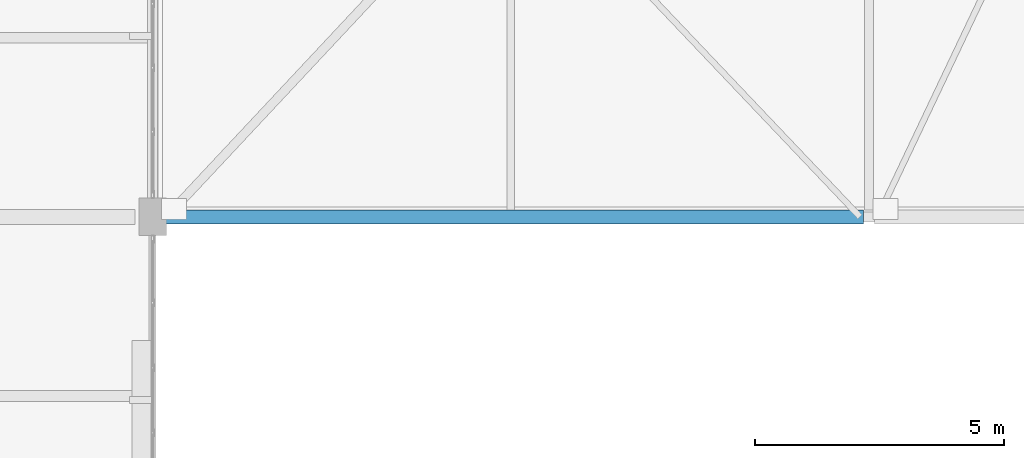
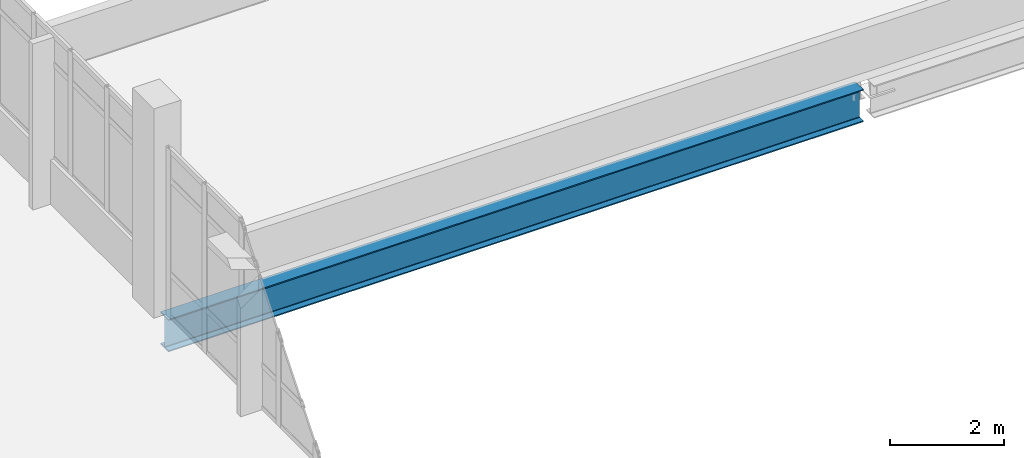
# One storey, part 9 of 87: 1 beam.
"""IFC4 building model written with IfcOpenShell, lengths in metres."""

from ifc_helpers import new_model, si_unit, direction, frame, origin, origin_2d, place, context, subcontext, project, spatial, i_section, extrude, material, material_profile, profile_set, type_object, element, save


model = new_model("IFC4")

# Units and contexts
model_context = context("Model", 3, precision=1e-05, world=origin(), true_north=direction((0.0, 1.0)))
body_context = subcontext(model_context, "Body", "Model", "MODEL_VIEW")
ifc_project = project(units=[si_unit("LENGTHUNIT", "METRE"), si_unit("AREAUNIT", "SQUARE_METRE"), si_unit("VOLUMEUNIT", "CUBIC_METRE"), si_unit("PLANEANGLEUNIT", "RADIAN"), si_unit("MASSUNIT", "GRAM", prefix="KILO")], contexts=[model_context])

# Site, building, storey
site_placement = place(None, origin())
site = spatial("IfcSite", under=ifc_project, at=site_placement, CompositionType="ELEMENT")
building_placement = place(site_placement, origin())
building = spatial("IfcBuilding", under=site, at=building_placement, Name="Kalluvel Institute of Natural Sciences", CompositionType="ELEMENT")
storey_placement = place(building_placement, frame((0.0, 0.0, 18.89990234375)))
storey = spatial("IfcBuildingStorey", under=building, at=storey_placement, Name="L04", CompositionType="ELEMENT", Elevation=18.89990234375)

# Beam
ifc_material = material(Name="Steel E350 Grade 350", Category="steel")
ifc_material_profile = material_profile(ifc_material, i_section(OverallWidth=0.280029296875, OverallDepth=0.699951171875, WebThickness=0.013916015625, FlangeThickness=0.02392578125, FilletRadius=0.01611328125, at=origin_2d()), Name="WPG 700x280")
ifc_profile_set = profile_set([ifc_material_profile], Name="Steel E350 Grade 350")
beam_type = type_object("IfcBeamType", Name="BM-WPG700", PredefinedType="BEAM", material=ifc_profile_set)
beam_placement = place(storey_placement, frame((35.760009765625, 28.39990234375, -0.669921875), z_axis=(1.0, 0.0, 0.0), x_axis=(0.0, 1.0, 0.0)))
element("IfcBeam", 1, at=beam_placement, inside=storey, type_object=beam_type, Name="L04 link bridge main plate-girder chord 11", PredefinedType="BEAM", context=body_context, shape_type="SweptSolid", body=[
    extrude(i_section(OverallWidth=0.280029296875, OverallDepth=0.699951171875, WebThickness=0.013916015625, FlangeThickness=0.02392578125, FilletRadius=0.01611328125, at=origin_2d()), origin(), (0.0, 0.0, 1.0), 14.1298828125),
])

save(model, "model.ifc")
